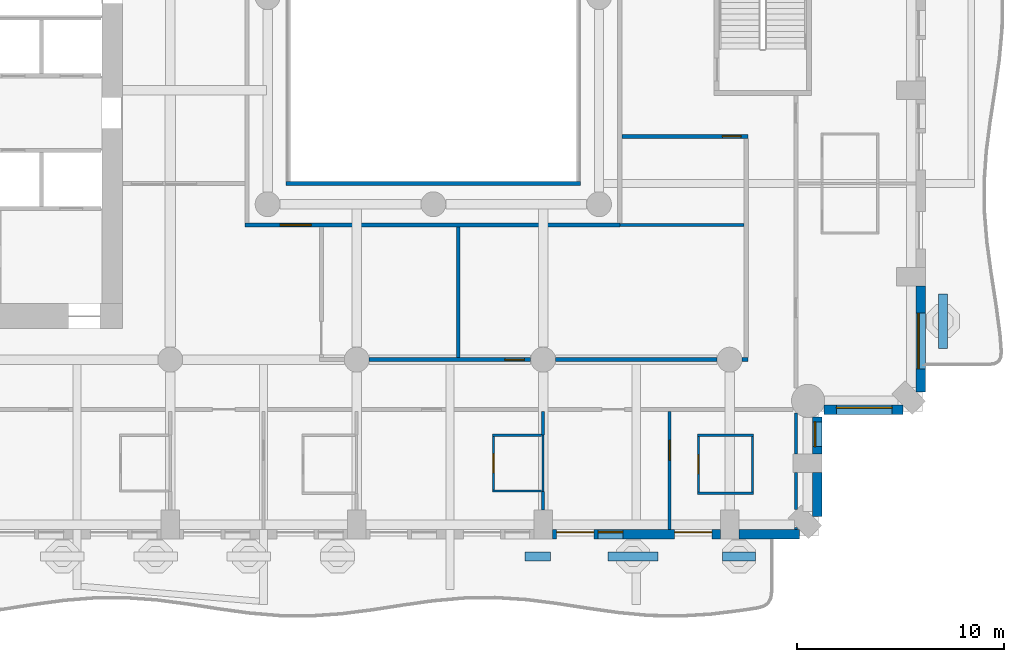
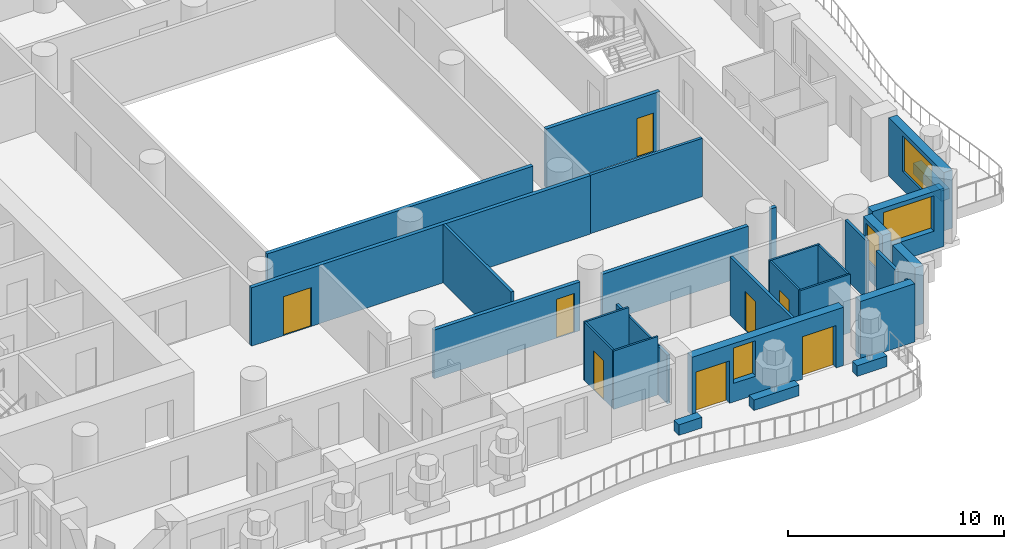
# One storey, part 5 of 19: 32 walls, 8 doors, 4 windows, 12 openings.
"""IFC4 building model written with IfcOpenShell, lengths in metres."""

from ifc_helpers import new_model, si_unit, direction, frame, frame_2d, origin, place, context, subcontext, project, spatial, rectangle, extrude, material, layer, layer_set, type_object, element, fill, save


model = new_model("IFC4")

# Units and contexts
model_context = context("Model", 3, precision=1e-05, world=origin(), true_north=direction((0.0, 1.0)))
body_context = subcontext(model_context, "Body", "Model", "MODEL_VIEW")
ifc_project = project(units=[si_unit("LENGTHUNIT", "METRE"), si_unit("AREAUNIT", "SQUARE_METRE"), si_unit("VOLUMEUNIT", "CUBIC_METRE"), si_unit("PLANEANGLEUNIT", "RADIAN"), si_unit("MASSUNIT", "GRAM", prefix="KILO")], contexts=[model_context])

# Site, building, storey
site_placement = place(None, origin())
site = spatial("IfcSite", under=ifc_project, at=site_placement, CompositionType="ELEMENT")
building_placement = place(site_placement, origin())
building = spatial("IfcBuilding", under=site, at=building_placement, Name="Cypress Arch Tower", CompositionType="ELEMENT")
storey_placement = place(building_placement, frame((0.0, 0.0, 98.699951171875)))
storey = spatial("IfcBuildingStorey", under=building, at=storey_placement, Name="L19", CompositionType="ELEMENT", Elevation=98.699951171875)

# Walls
ifc_material_1 = material(Name="Concrete C40/50, waterproofed", Category="concrete")
ifc_layer_1 = layer(ifc_material_1, 0.449951171875)
ifc_layer_set_1 = layer_set([ifc_layer_1], Name="Balcony planter wall PW450")
wall_type_1 = type_object("IfcWallType", Name="Balcony planter wall PW450", PredefinedType="SOLIDWALL", material=ifc_layer_set_1)
wall_1_placement = place(storey_placement, frame((5.419921875, -27.0, 0.0), z_axis=(0.0, 0.0, 1.0), x_axis=(1.0, 0.0, 0.0)))
element("IfcWall", 1, at=wall_1_placement, inside=storey, type_object=wall_type_1, Name="Balcony planter wall L19-A03.5", PredefinedType="SOLIDWALL", context=body_context, shape_type="SweptSolid", body=[
    extrude(rectangle(XDim=1.22998046875, YDim=0.449951171875, at=frame_2d((0.614990234375, 0.0))), origin(), (0.0, 0.0, 1.0), 0.60009765625),
])
wall_2_placement = place(storey_placement, frame((9.429931640625, -27.0, 0.0), z_axis=(0.0, 0.0, 1.0), x_axis=(1.0, 0.0, 0.0)))
element("IfcWall", 2, at=wall_2_placement, inside=storey, type_object=wall_type_1, Name="Balcony planter wall L19-A03.6", PredefinedType="SOLIDWALL", context=body_context, shape_type="SweptSolid", body=[
    extrude(rectangle(XDim=2.420166015625, YDim=0.449951171875, at=frame_2d((1.2099609375, 0.0))), origin(), (0.0, 0.0, 1.0), 0.60009765625),
])
wall_3_placement = place(storey_placement, frame((14.949951171875, -27.0, 0.0), z_axis=(0.0, 0.0, 1.0), x_axis=(1.0, 0.0, 0.0)))
element("IfcWall", 3, at=wall_3_placement, inside=storey, type_object=wall_type_1, Name="Balcony planter wall L19-A03.7", PredefinedType="SOLIDWALL", context=body_context, shape_type="SweptSolid", body=[
    extrude(rectangle(XDim=1.60009765625, YDim=0.449951171875, at=frame_2d((0.800048828125, 0.0))), origin(), (0.0, 0.0, 1.0), 0.60009765625),
])
wall_4_placement = place(storey_placement, frame((25.60009765625, -16.949951171875, 0.0), z_axis=(0.0, 0.0, 1.0), x_axis=(0.0, 1.0, 0.0)))
element("IfcWall", 4, at=wall_4_placement, inside=storey, type_object=wall_type_1, Name="Balcony planter wall L19-A06.1", PredefinedType="SOLIDWALL", context=body_context, shape_type="SweptSolid", body=[
    extrude(rectangle(XDim=2.6142578125, YDim=0.449951171875, at=frame_2d((1.30712890625, 0.0))), origin(), (0.0, 0.0, 1.0), 0.60009765625),
])

# Wall, openings, doors, window
ifc_material_2 = material(Name="Brick (red buff blend)", Category="masonry")
ifc_layer_2 = layer(ifc_material_2, 0.449951171875)
ifc_layer_set_2 = layer_set([ifc_layer_2], Name="Brick pier and spandrel wall BW450")
wall_type_2 = type_object("IfcWallType", Name="Brick pier and spandrel wall BW450", PredefinedType="SOLIDWALL", material=ifc_layer_set_2)
wall_5_placement = place(storey_placement, frame((6.75, -25.925048828125, 0.0), z_axis=(0.0, 0.0, 1.0), x_axis=(1.0, 0.0, 0.0)))
wall_5 = element("IfcWall", 5, at=wall_5_placement, inside=storey, type_object=wall_type_2, Name="Brick wall L19 A03.4", PredefinedType="SOLIDWALL", context=body_context, shape_type="SweptSolid", body=[
    extrude(rectangle(XDim=8.10009765625, YDim=0.449951171875, at=frame_2d((4.050048828125, 0.0))), origin(), (0.0, 0.0, 1.0), 3.300048828125),
])
opening_1_placement = place(wall_5_placement, frame((0.199951171875, 0.0, 0.0)))
opening_1 = element("IfcOpeningElement", 6, at=opening_1_placement, cuts=wall_5, Name="Opening D-L19-A03.4.1", PredefinedType="OPENING", context=body_context, shape_type="SweptSolid", body=[
    extrude(rectangle(XDim=1.800048828125, YDim=2.39990234375, at=frame_2d((0.89990234375, 1.199951171875))), frame((0.0, 0.23486328125, 0.0), z_axis=(0.0, -1.0, 0.0), x_axis=(1.0, 0.0, 0.0)), (0.0, 0.0, 1.0), 0.469970703125),
])
opening_2_placement = place(wall_5_placement, frame((2.199951171875, 0.0, 1.050048828125)))
opening_2 = element("IfcOpeningElement", 7, at=opening_2_placement, cuts=wall_5, Name="Opening W120HD", PredefinedType="OPENING", context=body_context, shape_type="SweptSolid", body=[
    extrude(rectangle(XDim=1.199951171875, YDim=2.0, at=frame_2d((0.60009765625, 1.0))), frame((0.0, 0.23486328125, 0.0), z_axis=(0.0, -1.0, 0.0), x_axis=(1.0, 0.0, 0.0)), (0.0, 0.0, 1.0), 0.469970703125),
])
opening_3_placement = place(wall_5_placement, frame((5.89990234375, 0.0, 0.0)))
opening_3 = element("IfcOpeningElement", 8, at=opening_3_placement, cuts=wall_5, Name="Opening D-L19-A03.4.2", PredefinedType="OPENING", context=body_context, shape_type="SweptSolid", body=[
    extrude(rectangle(XDim=1.800048828125, YDim=2.39990234375, at=frame_2d((0.89990234375, 1.199951171875))), frame((0.0, 0.23486328125, 0.0), z_axis=(0.0, -1.0, 0.0), x_axis=(1.0, 0.0, 0.0)), (0.0, 0.0, 1.0), 0.469970703125),
])
ifc_material_3 = material(Name="Anodised aluminium, bronze finish, laminated low-emissivity double glazing, large-missile impact rated", Category="aluminium")
door_type_1 = type_object("IfcDoorType", Name="Balcony sliding door 1800x2400", OperationType="SLIDING_TO_LEFT", PredefinedType="DOOR", material=ifc_material_3)
door_1_placement = place(opening_1_placement, origin())
door_1 = element("IfcDoor", 9, at=door_1_placement, inside=storey, type_object=door_type_1, Name="Balcony door L19 A03.4.1", OperationType="SLIDING_TO_LEFT", OverallHeight=2.39990234375, OverallWidth=1.800048828125, PredefinedType="DOOR", context=body_context, shape_type="SweptSolid", body=[
    extrude(rectangle(XDim=1.800048828125, YDim=2.39990234375, at=frame_2d((0.89990234375, 1.199951171875))), frame((0.0, 0.1298828125, 0.0), z_axis=(0.0, -1.0, 0.0), x_axis=(1.0, 0.0, 0.0)), (0.0, 0.0, 1.0), 0.050048828125),
])
fill(opening_1, door_1)
door_2_placement = place(opening_3_placement, origin())
door_2 = element("IfcDoor", 10, at=door_2_placement, inside=storey, type_object=door_type_1, Name="Balcony door L19 A03.4.2", OperationType="SLIDING_TO_LEFT", OverallHeight=2.39990234375, OverallWidth=1.800048828125, PredefinedType="DOOR", context=body_context, shape_type="SweptSolid", body=[
    extrude(rectangle(XDim=1.800048828125, YDim=2.39990234375, at=frame_2d((0.89990234375, 1.199951171875))), frame((0.0, 0.1298828125, 0.0), z_axis=(0.0, -1.0, 0.0), x_axis=(1.0, 0.0, 0.0)), (0.0, 0.0, 1.0), 0.050048828125),
])
fill(opening_3, door_2)
ifc_material_4 = material(Name="Anodised aluminium, bronze finish, laminated low-emissivity double glazing, large-missile impact rated", Category="aluminium")
window_type_1 = type_object("IfcWindowType", Name="Window Hotel 1200x2000 debris-rated", PartitioningType="SINGLE_PANEL", PredefinedType="WINDOW", material=ifc_material_4)
window_1_placement = place(opening_2_placement, origin())
window_1 = element("IfcWindow", 11, at=window_1_placement, inside=storey, type_object=window_type_1, Name="Window L19 A03.4.1", OverallHeight=2.0, OverallWidth=1.199951171875, PartitioningType="SINGLE_PANEL", PredefinedType="WINDOW", context=body_context, shape_type="SweptSolid", body=[
    extrude(rectangle(XDim=1.199951171875, YDim=2.0, at=frame_2d((0.60009765625, 1.0))), frame((0.0, 0.135009765625, 0.0), z_axis=(0.0, -1.0, 0.0), x_axis=(1.0, 0.0, 0.0)), (0.0, 0.0, 1.0), 0.06005859375),
])
fill(opening_2, window_1)

# Walls
wall_6_placement = place(storey_placement, frame((15.75, -25.925048828125, 0.0), z_axis=(0.0, 0.0, 1.0), x_axis=(1.0, 0.0, 0.0)))
element("IfcWall", 12, at=wall_6_placement, inside=storey, type_object=wall_type_2, Name="Brick wall L19 A03.5", PredefinedType="SOLIDWALL", context=body_context, shape_type="SweptSolid", body=[
    extrude(rectangle(XDim=2.91357421875, YDim=0.449951171875, at=frame_2d((1.456787109375, 0.0))), origin(), (0.0, 0.0, 1.0), 3.300048828125),
])
wall_7_placement = place(storey_placement, frame((19.52490234375, -25.063720703125, 0.0), z_axis=(0.0, 0.0, 1.0), x_axis=(0.0, 1.0, 0.0)))
element("IfcWall", 13, at=wall_7_placement, inside=storey, type_object=wall_type_2, Name="Brick wall L19 A04.0", PredefinedType="SOLIDWALL", context=body_context, shape_type="SweptSolid", body=[
    extrude(rectangle(XDim=2.11376953125, YDim=0.449951171875, at=frame_2d((1.056884765625, 0.0))), origin(), (0.0, 0.0, 1.0), 3.300048828125),
])

# Wall, opening, window
wall_8_placement = place(storey_placement, frame((19.52490234375, -22.050048828125, 0.0), z_axis=(0.0, 0.0, 1.0), x_axis=(0.0, 1.0, 0.0)))
wall_8 = element("IfcWall", 14, at=wall_8_placement, inside=storey, type_object=wall_type_2, Name="Brick wall L19 A04.1", PredefinedType="SOLIDWALL", context=body_context, shape_type="SweptSolid", body=[
    extrude(rectangle(XDim=1.79150390625, YDim=0.449951171875, at=frame_2d((0.895751953125, 0.0))), origin(), (0.0, 0.0, 1.0), 3.300048828125),
])
opening_4_placement = place(wall_8_placement, frame((0.35009765625, 0.0, 1.050048828125)))
opening_4 = element("IfcOpeningElement", 15, at=opening_4_placement, cuts=wall_8, Name="Opening W120H", PredefinedType="OPENING", context=body_context, shape_type="SweptSolid", body=[
    extrude(rectangle(XDim=1.199951171875, YDim=2.0, at=frame_2d((0.60009765625, 1.0))), frame((0.0, 0.23486328125, 0.0), z_axis=(0.0, -1.0, 0.0), x_axis=(1.0, 0.0, 0.0)), (0.0, 0.0, 1.0), 0.469970703125),
])
ifc_material_5 = material(Name="Anodised aluminium, bronze finish, clear low-emissivity double glazing", Category="aluminium")
window_type_2 = type_object("IfcWindowType", Name="Window Hotel 1200x2000", PartitioningType="SINGLE_PANEL", PredefinedType="WINDOW", material=ifc_material_5)
window_2_placement = place(opening_4_placement, origin())
window_2 = element("IfcWindow", 16, at=window_2_placement, inside=storey, type_object=window_type_2, Name="Window L19 A04.1.1", OverallHeight=2.0, OverallWidth=1.199951171875, PartitioningType="SINGLE_PANEL", PredefinedType="WINDOW", context=body_context, shape_type="SweptSolid", body=[
    extrude(rectangle(XDim=1.199951171875, YDim=2.0, at=frame_2d((0.60009765625, 1.0))), frame((0.0, 0.135009765625, 0.0), z_axis=(0.0, -1.0, 0.0), x_axis=(1.0, 0.0, 0.0)), (0.0, 0.0, 1.0), 0.06005859375),
])
fill(opening_4, window_2)

wall_9_placement = place(storey_placement, frame((19.8583984375, -19.925048828125, 0.0), z_axis=(0.0, 0.0, 1.0), x_axis=(1.0, 0.0, 0.0)))
wall_9 = element("IfcWall", 17, at=wall_9_placement, inside=storey, type_object=wall_type_2, Name="Brick wall L19 A05.0", PredefinedType="SOLIDWALL", context=body_context, shape_type="SweptSolid", body=[
    extrude(rectangle(XDim=3.80517578125, YDim=0.449951171875, at=frame_2d((1.902587890625, 0.0))), origin(), (0.0, 0.0, 1.0), 3.300048828125),
])
opening_5_placement = place(wall_9_placement, frame((0.591552734375, 0.0, 1.050048828125)))
opening_5 = element("IfcOpeningElement", 18, at=opening_5_placement, cuts=wall_9, Name="Opening W270H", PredefinedType="OPENING", context=body_context, shape_type="SweptSolid", body=[
    extrude(rectangle(XDim=2.699951171875, YDim=2.0, at=frame_2d((1.35009765625, 1.0))), frame((0.0, 0.23486328125, 0.0), z_axis=(0.0, -1.0, 0.0), x_axis=(1.0, 0.0, 0.0)), (0.0, 0.0, 1.0), 0.469970703125),
])
ifc_material_6 = material(Name="Anodised aluminium, bronze finish, clear low-emissivity double glazing", Category="aluminium")
window_type_3 = type_object("IfcWindowType", Name="Window Hotel 2700x2000", PartitioningType="SINGLE_PANEL", PredefinedType="WINDOW", material=ifc_material_6)
window_3_placement = place(opening_5_placement, origin())
window_3 = element("IfcWindow", 19, at=window_3_placement, inside=storey, type_object=window_type_3, Name="Window L19 A05.0.1", OverallHeight=2.0, OverallWidth=2.699951171875, PartitioningType="SINGLE_PANEL", PredefinedType="WINDOW", context=body_context, shape_type="SweptSolid", body=[
    extrude(rectangle(XDim=2.699951171875, YDim=2.0, at=frame_2d((1.35009765625, 1.0))), frame((0.0, 0.135009765625, 0.0), z_axis=(0.0, -1.0, 0.0), x_axis=(1.0, 0.0, 0.0)), (0.0, 0.0, 1.0), 0.06005859375),
])
fill(opening_5, window_3)

wall_10_placement = place(storey_placement, frame((24.52490234375, -19.063720703125, 0.0), z_axis=(0.0, 0.0, 1.0), x_axis=(0.0, 1.0, 0.0)))
wall_10 = element("IfcWall", 20, at=wall_10_placement, inside=storey, type_object=wall_type_2, Name="Brick wall L19 A06.0", PredefinedType="SOLIDWALL", context=body_context, shape_type="SweptSolid", body=[
    extrude(rectangle(XDim=5.11376953125, YDim=0.449951171875, at=frame_2d((2.556884765625, 0.0))), origin(), (0.0, 0.0, 1.0), 3.300048828125),
])
opening_6_placement = place(wall_10_placement, frame((1.113525390625, 0.0, 1.050048828125)))
opening_6 = element("IfcOpeningElement", 21, at=opening_6_placement, cuts=wall_10, Name="Opening W270HD", PredefinedType="OPENING", context=body_context, shape_type="SweptSolid", body=[
    extrude(rectangle(XDim=2.699951171875, YDim=2.0, at=frame_2d((1.35009765625, 1.0))), frame((0.0, 0.23486328125, 0.0), z_axis=(0.0, -1.0, 0.0), x_axis=(1.0, 0.0, 0.0)), (0.0, 0.0, 1.0), 0.469970703125),
])
ifc_material_7 = material(Name="Anodised aluminium, bronze finish, laminated low-emissivity double glazing, large-missile impact rated", Category="aluminium")
window_type_4 = type_object("IfcWindowType", Name="Window Hotel 2700x2000 debris-rated", PartitioningType="SINGLE_PANEL", PredefinedType="WINDOW", material=ifc_material_7)
window_4_placement = place(opening_6_placement, origin())
window_4 = element("IfcWindow", 22, at=window_4_placement, inside=storey, type_object=window_type_4, Name="Window L19 A06.0.1", OverallHeight=2.0, OverallWidth=2.699951171875, PartitioningType="SINGLE_PANEL", PredefinedType="WINDOW", context=body_context, shape_type="SweptSolid", body=[
    extrude(rectangle(XDim=2.699951171875, YDim=2.0, at=frame_2d((1.35009765625, 1.0))), frame((0.0, 0.135009765625, 0.0), z_axis=(0.0, -1.0, 0.0), x_axis=(1.0, 0.0, 0.0)), (0.0, 0.0, 1.0), 0.06005859375),
])
fill(opening_6, window_4)

# Wall, opening, door
ifc_material_8 = material(Name="Concrete blockwork, plastered, rated", Category="masonry")
ifc_layer_3 = layer(ifc_material_8, 0.199951171875)
ifc_layer_set_3 = layer_set([ifc_layer_3], Name="Corridor wall FW200")
wall_type_3 = type_object("IfcWallType", Name="Corridor wall FW200", PredefinedType="PARTITIONING", material=ifc_layer_set_3)
wall_11_placement = place(storey_placement, frame((-8.10009765625, -11.0, 0.0), z_axis=(0.0, 0.0, 1.0), x_axis=(1.0, 0.0, 0.0)))
wall_11 = element("IfcWall", 23, at=wall_11_placement, inside=storey, type_object=wall_type_3, Name="Corridor wall", PredefinedType="PARTITIONING", context=body_context, shape_type="SweptSolid", body=[
    extrude(rectangle(XDim=18.10009765625, YDim=0.199951171875, at=frame_2d((9.050048828125, 0.0))), origin(), (0.0, 0.0, 1.0), 3.300048828125),
])
opening_7_placement = place(wall_11_placement, frame((1.699951171875, 0.0, 0.0)))
opening_7 = element("IfcOpeningElement", 24, at=opening_7_placement, cuts=wall_11, Name="Opening D04", PredefinedType="OPENING", context=body_context, shape_type="SweptSolid", body=[
    extrude(rectangle(XDim=1.5, YDim=2.199951171875, at=frame_2d((0.75, 1.10009765625))), frame((0.0, 0.10986328125, 0.0), z_axis=(0.0, -1.0, 0.0), x_axis=(1.0, 0.0, 0.0)), (0.0, 0.0, 1.0), 0.219970703125),
])
ifc_material_9 = material(Name="Timber double door", Category="wood")
door_type_2 = type_object("IfcDoorType", Name="Double door D04 1500x2200", OperationType="DOUBLE_DOOR_SINGLE_SWING", PredefinedType="DOOR", material=ifc_material_9)
door_3_placement = place(opening_7_placement, origin())
door_3 = element("IfcDoor", 25, at=door_3_placement, inside=storey, type_object=door_type_2, Name="Double door", OperationType="DOUBLE_DOOR_SINGLE_SWING", OverallHeight=2.199951171875, OverallWidth=1.5, PredefinedType="DOOR", context=body_context, shape_type="SweptSolid", body=[
    extrude(rectangle(XDim=1.5, YDim=2.199951171875, at=frame_2d((0.75, 1.10009765625))), frame((0.0, 0.02490234375, 0.0), z_axis=(0.0, -1.0, 0.0), x_axis=(1.0, 0.0, 0.0)), (0.0, 0.0, 1.0), 0.050048828125),
])
fill(opening_7, door_3)

# Wall
wall_12_placement = place(storey_placement, frame((-6.10009765625, -9.0, 0.0), z_axis=(0.0, 0.0, 1.0), x_axis=(1.0, 0.0, 0.0)))
element("IfcWall", 26, at=wall_12_placement, inside=storey, type_object=wall_type_3, Name="Corridor wall", PredefinedType="PARTITIONING", context=body_context, shape_type="SweptSolid", body=[
    extrude(rectangle(XDim=14.2001953125, YDim=0.199951171875, at=frame_2d((7.10009765625, 0.0))), origin(), (0.0, 0.0, 1.0), 3.300048828125),
])

# Wall, opening, door
wall_13_placement = place(storey_placement, frame((-2.10009765625, -17.5, 0.0), z_axis=(0.0, 0.0, 1.0), x_axis=(1.0, 0.0, 0.0)))
wall_13 = element("IfcWall", 27, at=wall_13_placement, inside=storey, type_object=wall_type_3, Name="Corridor wall", PredefinedType="PARTITIONING", context=body_context, shape_type="SweptSolid", body=[
    extrude(rectangle(XDim=7.800048828125, YDim=0.199951171875, at=frame_2d((3.89990234375, 0.0))), origin(), (0.0, 0.0, 1.0), 2.75),
])
opening_8_placement = place(wall_13_placement, frame((6.550048828125, 0.0, 0.0)))
opening_8 = element("IfcOpeningElement", 28, at=opening_8_placement, cuts=wall_13, Name="Opening D02", PredefinedType="OPENING", context=body_context, shape_type="SweptSolid", body=[
    extrude(rectangle(XDim=0.949951171875, YDim=2.199951171875, at=frame_2d((0.47509765625, 1.10009765625))), frame((0.0, 0.10986328125, 0.0), z_axis=(0.0, -1.0, 0.0), x_axis=(1.0, 0.0, 0.0)), (0.0, 0.0, 1.0), 0.219970703125),
])
ifc_material_10 = material(Name="Timber flush door, fire resisting", Category="wood")
door_type_3 = type_object("IfcDoorType", Name="Room door D02 950x2200", OperationType="SINGLE_SWING_LEFT", PredefinedType="DOOR", material=ifc_material_10)
door_4_placement = place(opening_8_placement, origin())
door_4 = element("IfcDoor", 29, at=door_4_placement, inside=storey, type_object=door_type_3, Name="Room door", OperationType="SINGLE_SWING_RIGHT", OverallHeight=2.199951171875, OverallWidth=0.949951171875, PredefinedType="DOOR", context=body_context, shape_type="SweptSolid", body=[
    extrude(rectangle(XDim=0.949951171875, YDim=2.199951171875, at=frame_2d((0.47509765625, 1.10009765625))), frame((0.0, 0.02490234375, 0.0), z_axis=(0.0, -1.0, 0.0), x_axis=(1.0, 0.0, 0.0)), (0.0, 0.0, 1.0), 0.050048828125),
])
fill(opening_8, door_4)

# Walls
wall_14_placement = place(storey_placement, frame((6.89990234375, -17.5, 0.0), z_axis=(0.0, 0.0, 1.0), x_axis=(1.0, 0.0, 0.0)))
element("IfcWall", 30, at=wall_14_placement, inside=storey, type_object=wall_type_3, Name="Corridor wall", PredefinedType="PARTITIONING", context=body_context, shape_type="SweptSolid", body=[
    extrude(rectangle(XDim=7.800048828125, YDim=0.199951171875, at=frame_2d((3.89990234375, 0.0))), origin(), (0.0, 0.0, 1.0), 2.75),
])
wall_15_placement = place(storey_placement, frame((15.89990234375, -17.5, 0.0), z_axis=(0.0, 0.0, 1.0), x_axis=(1.0, 0.0, 0.0)))
element("IfcWall", 31, at=wall_15_placement, inside=storey, type_object=wall_type_3, Name="Corridor wall", PredefinedType="PARTITIONING", context=body_context, shape_type="SweptSolid", body=[
    extrude(rectangle(XDim=0.300048828125, YDim=0.199951171875, at=frame_2d((0.14990234375, 0.0))), origin(), (0.0, 0.0, 1.0), 3.300048828125),
])

# Wall, opening, door
wall_16_placement = place(storey_placement, frame((10.10009765625, -6.72509765625, 0.0), z_axis=(0.0, 0.0, 1.0), x_axis=(1.0, 0.0, 0.0)))
wall_16 = element("IfcWall", 32, at=wall_16_placement, inside=storey, type_object=wall_type_3, Name="Corridor wall", PredefinedType="PARTITIONING", context=body_context, shape_type="SweptSolid", body=[
    extrude(rectangle(XDim=6.099853515625, YDim=0.199951171875, at=frame_2d((3.0498046875, 0.0))), origin(), (0.0, 0.0, 1.0), 3.300048828125),
])
opening_9_placement = place(wall_16_placement, frame((4.85009765625, 0.0, 0.0)))
opening_9 = element("IfcOpeningElement", 33, at=opening_9_placement, cuts=wall_16, Name="Opening D05", PredefinedType="OPENING", context=body_context, shape_type="SweptSolid", body=[
    extrude(rectangle(XDim=0.89990234375, YDim=2.199951171875, at=frame_2d((0.449951171875, 1.10009765625))), frame((0.0, 0.10986328125, 0.0), z_axis=(0.0, -1.0, 0.0), x_axis=(1.0, 0.0, 0.0)), (0.0, 0.0, 1.0), 0.219970703125),
])
ifc_material_11 = material(Name="Timber flush door", Category="wood")
door_type_4 = type_object("IfcDoorType", Name="Service door D05 900x2200", OperationType="SINGLE_SWING_LEFT", PredefinedType="DOOR", material=ifc_material_11)
door_5_placement = place(opening_9_placement, origin())
door_5 = element("IfcDoor", 34, at=door_5_placement, inside=storey, type_object=door_type_4, Name="Service door", OperationType="SINGLE_SWING_LEFT", OverallHeight=2.199951171875, OverallWidth=0.89990234375, PredefinedType="DOOR", context=body_context, shape_type="SweptSolid", body=[
    extrude(rectangle(XDim=0.89990234375, YDim=2.199951171875, at=frame_2d((0.449951171875, 1.10009765625))), frame((0.0, 0.02490234375, 0.0), z_axis=(0.0, -1.0, 0.0), x_axis=(1.0, 0.0, 0.0)), (0.0, 0.0, 1.0), 0.050048828125),
])
fill(opening_9, door_5)

# Walls
ifc_material_12 = material(Name="Blockwork, plastered both sides", Category="masonry")
ifc_layer_4 = layer(ifc_material_12, 0.14990234375)
ifc_layer_set_4 = layer_set([ifc_layer_4], Name="Partition PW150")
wall_type_4 = type_object("IfcWallType", Name="Partition PW150", PredefinedType="PARTITIONING", material=ifc_layer_set_4)
wall_17_placement = place(storey_placement, frame((2.199951171875, -17.39990234375, 0.0), z_axis=(0.0, 0.0, 1.0), x_axis=(0.0, 1.0, 0.0)))
element("IfcWall", 35, at=wall_17_placement, inside=storey, type_object=wall_type_4, Name="Partition", PredefinedType="PARTITIONING", context=body_context, shape_type="SweptSolid", body=[
    extrude(rectangle(XDim=6.2998046875, YDim=0.14990234375, at=frame_2d((3.14990234375, 0.0))), origin(), (0.0, 0.0, 1.0), 3.300048828125),
])
wall_18_placement = place(storey_placement, frame((6.300048828125, -24.75, 0.0), z_axis=(0.0, 0.0, 1.0), x_axis=(0.0, 1.0, 0.0)))
element("IfcWall", 36, at=wall_18_placement, inside=storey, type_object=wall_type_4, Name="Partition", PredefinedType="PARTITIONING", context=body_context, shape_type="SweptSolid", body=[
    extrude(rectangle(XDim=0.8798828125, YDim=0.14990234375, at=frame_2d((0.43994140625, 0.0))), origin(), (0.0, 0.0, 1.0), 2.75),
])
wall_19_placement = place(storey_placement, frame((6.300048828125, -21.1298828125, 0.0), z_axis=(0.0, 0.0, 1.0), x_axis=(0.0, 1.0, 0.0)))
element("IfcWall", 37, at=wall_19_placement, inside=storey, type_object=wall_type_4, Name="Partition", PredefinedType="PARTITIONING", context=body_context, shape_type="SweptSolid", body=[
    extrude(rectangle(XDim=1.1298828125, YDim=0.14990234375, at=frame_2d((0.56494140625, 0.0))), origin(), (0.0, 0.0, 1.0), 2.75),
])
wall_20_placement = place(storey_placement, frame((10.0, -11.0, 0.0), z_axis=(0.0, 0.0, 1.0), x_axis=(1.0, 0.0, 0.0)))
element("IfcWall", 38, at=wall_20_placement, inside=storey, type_object=wall_type_4, Name="Partition", PredefinedType="PARTITIONING", context=body_context, shape_type="SweptSolid", body=[
    extrude(rectangle(XDim=6.0, YDim=0.14990234375, at=frame_2d((3.0, 0.0))), origin(), (0.0, 0.0, 1.0), 3.300048828125),
])

# Wall, opening, door
wall_21_placement = place(storey_placement, frame((12.39990234375, -25.699951171875, 0.0), z_axis=(0.0, 0.0, 1.0), x_axis=(0.0, 1.0, 0.0)))
wall_21 = element("IfcWall", 39, at=wall_21_placement, inside=storey, type_object=wall_type_4, Name="Partition", PredefinedType="PARTITIONING", context=body_context, shape_type="SweptSolid", body=[
    extrude(rectangle(XDim=5.699951171875, YDim=0.14990234375, at=frame_2d((2.85009765625, 0.0))), origin(), (0.0, 0.0, 1.0), 3.300048828125),
])
opening_10_placement = place(wall_21_placement, frame((3.35009765625, 0.0, 0.0)))
opening_10 = element("IfcOpeningElement", 40, at=opening_10_placement, cuts=wall_21, Name="Opening D12", PredefinedType="OPENING", context=body_context, shape_type="SweptSolid", body=[
    extrude(rectangle(XDim=0.949951171875, YDim=2.199951171875, at=frame_2d((0.47509765625, 1.10009765625))), frame((0.0, 0.0849609375, 0.0), z_axis=(0.0, -1.0, 0.0), x_axis=(1.0, 0.0, 0.0)), (0.0, 0.0, 1.0), 0.169921875),
])
ifc_material_13 = material(Name="Timber flush door", Category="wood")
door_type_5 = type_object("IfcDoorType", Name="Room door D12 950x2200", OperationType="SINGLE_SWING_LEFT", PredefinedType="DOOR", material=ifc_material_13)
door_6_placement = place(opening_10_placement, origin())
door_6 = element("IfcDoor", 41, at=door_6_placement, inside=storey, type_object=door_type_5, Name="Room door", OperationType="SINGLE_SWING_RIGHT", OverallHeight=2.199951171875, OverallWidth=0.949951171875, PredefinedType="DOOR", context=body_context, shape_type="SweptSolid", body=[
    extrude(rectangle(XDim=0.949951171875, YDim=2.199951171875, at=frame_2d((0.47509765625, 1.10009765625))), frame((0.0, 0.02490234375, 0.0), z_axis=(0.0, -1.0, 0.0), x_axis=(1.0, 0.0, 0.0)), (0.0, 0.0, 1.0), 0.050048828125),
])
fill(opening_10, door_6)

# Walls
wall_22_placement = place(storey_placement, frame((18.5, -25.699951171875, 0.0), z_axis=(0.0, 0.0, 1.0), x_axis=(0.0, 1.0, 0.0)))
element("IfcWall", 42, at=wall_22_placement, inside=storey, type_object=wall_type_4, Name="Partition", PredefinedType="PARTITIONING", context=body_context, shape_type="SweptSolid", body=[
    extrude(rectangle(XDim=0.103515625, YDim=0.14990234375, at=frame_2d((0.0517578125, 0.0))), origin(), (0.0, 0.0, 1.0), 3.300048828125),
])
wall_23_placement = place(storey_placement, frame((18.5, -24.7236328125, 0.0), z_axis=(0.0, 0.0, 1.0), x_axis=(0.0, 1.0, 0.0)))
element("IfcWall", 43, at=wall_23_placement, inside=storey, type_object=wall_type_4, Name="Partition", PredefinedType="PARTITIONING", context=body_context, shape_type="SweptSolid", body=[
    extrude(rectangle(XDim=1.773681640625, YDim=0.14990234375, at=frame_2d((0.88671875, 0.0))), origin(), (0.0, 0.0, 1.0), 3.300048828125),
])
wall_24_placement = place(storey_placement, frame((18.5, -22.050048828125, 0.0), z_axis=(0.0, 0.0, 1.0), x_axis=(0.0, 1.0, 0.0)))
element("IfcWall", 44, at=wall_24_placement, inside=storey, type_object=wall_type_4, Name="Partition", PredefinedType="PARTITIONING", context=body_context, shape_type="SweptSolid", body=[
    extrude(rectangle(XDim=1.963623046875, YDim=0.14990234375, at=frame_2d((0.98193359375, 0.0))), origin(), (0.0, 0.0, 1.0), 3.300048828125),
])

# Wall, opening, door
ifc_material_14 = material(Name="Moisture resistant board on steel studs, tiled", Category="steel")
ifc_layer_5 = layer(ifc_material_14, 0.10009765625)
ifc_layer_set_5 = layer_set([ifc_layer_5], Name="Wet wall PW100")
wall_type_5 = type_object("IfcWallType", Name="Wet wall PW100", PredefinedType="PARTITIONING", material=ifc_layer_set_5)
wall_25_placement = place(storey_placement, frame((3.904052734375, -23.800048828125, 0.0), z_axis=(0.0, 0.0, 1.0), x_axis=(0.0, 1.0, 0.0)))
wall_25 = element("IfcWall", 45, at=wall_25_placement, inside=storey, type_object=wall_type_5, Name="Wet wall", PredefinedType="PARTITIONING", context=body_context, shape_type="SweptSolid", body=[
    extrude(rectangle(XDim=2.60009765625, YDim=0.10009765625, at=frame_2d((1.300048828125, 0.0))), origin(), (0.0, 0.0, 1.0), 3.300048828125),
])
opening_11_placement = place(wall_25_placement, frame((0.85009765625, 0.0, 0.0)))
opening_11 = element("IfcOpeningElement", 46, at=opening_11_placement, cuts=wall_25, Name="Opening D03", PredefinedType="OPENING", context=body_context, shape_type="SweptSolid", body=[
    extrude(rectangle(XDim=0.89990234375, YDim=2.199951171875, at=frame_2d((0.449951171875, 1.10009765625))), frame((0.0, 0.06005859375, 0.0), z_axis=(0.0, -1.0, 0.0), x_axis=(1.0, 0.0, 0.0)), (0.0, 0.0, 1.0), 0.1201171875),
])
ifc_material_15 = material(Name="Timber flush door, moisture resistant", Category="wood")
door_type_6 = type_object("IfcDoorType", Name="Bathroom door D03 900x2200", OperationType="SINGLE_SWING_LEFT", PredefinedType="DOOR", material=ifc_material_15)
door_7_placement = place(opening_11_placement, origin())
door_7 = element("IfcDoor", 47, at=door_7_placement, inside=storey, type_object=door_type_6, Name="Bathroom door", OperationType="SINGLE_SWING_RIGHT", OverallHeight=2.199951171875, OverallWidth=0.89990234375, PredefinedType="DOOR", context=body_context, shape_type="SweptSolid", body=[
    extrude(rectangle(XDim=0.89990234375, YDim=2.199951171875, at=frame_2d((0.449951171875, 1.10009765625))), frame((0.0, 0.02490234375, 0.0), z_axis=(0.0, -1.0, 0.0), x_axis=(1.0, 0.0, 0.0)), (0.0, 0.0, 1.0), 0.050048828125),
])
fill(opening_11, door_7)

# Walls
for number, where, z_axis, x_axis, name in (
    (48, (3.85400390625, -23.85009765625, 0.0), (0.0, 0.0, 1.0), (1.0, 0.0, 0.0), "Wet wall"),
    (49, (3.85400390625, -21.14990234375, 0.0), (0.0, 0.0, 1.0), (1.0, 0.0, 0.0), "Wet wall"),
):
    element("IfcWall", number, at=place(storey_placement, frame(where, z_axis=z_axis, x_axis=x_axis)), inside=storey, type_object=wall_type_5, Name=name, PredefinedType="PARTITIONING", context=body_context, shape_type="SweptSolid", body=[
        extrude(rectangle(XDim=2.37109375, YDim=0.10009765625, at=frame_2d((1.185546875, 0.0))), origin(), (0.0, 0.0, 1.0), 3.300048828125),
    ])
wall_26_placement = place(storey_placement, frame((6.300048828125, -23.8701171875, 0.0), z_axis=(0.0, 0.0, 1.0), x_axis=(0.0, 1.0, 0.0)))
element("IfcWall", 50, at=wall_26_placement, inside=storey, type_object=wall_type_5, Name="Wet wall", PredefinedType="PARTITIONING", context=body_context, shape_type="SweptSolid", body=[
    extrude(rectangle(XDim=2.740234375, YDim=0.10009765625, at=frame_2d((1.3701171875, 0.0))), origin(), (0.0, 0.0, 1.0), 2.75),
])

# Wall, opening, door
wall_27_placement = place(storey_placement, frame((13.7958984375, -23.89990234375, 0.0), z_axis=(0.0, 0.0, 1.0), x_axis=(0.0, 1.0, 0.0)))
wall_27 = element("IfcWall", 51, at=wall_27_placement, inside=storey, type_object=wall_type_5, Name="Wet wall", PredefinedType="PARTITIONING", context=body_context, shape_type="SweptSolid", body=[
    extrude(rectangle(XDim=2.699951171875, YDim=0.10009765625, at=frame_2d((1.35009765625, 0.0))), origin(), (0.0, 0.0, 1.0), 3.300048828125),
])
opening_12_placement = place(wall_27_placement, frame((0.89990234375, 0.0, 0.0)))
opening_12 = element("IfcOpeningElement", 52, at=opening_12_placement, cuts=wall_27, Name="Opening D03", PredefinedType="OPENING", context=body_context, shape_type="SweptSolid", body=[
    extrude(rectangle(XDim=0.89990234375, YDim=2.199951171875, at=frame_2d((0.449951171875, 1.10009765625))), frame((0.0, 0.06005859375, 0.0), z_axis=(0.0, -1.0, 0.0), x_axis=(1.0, 0.0, 0.0)), (0.0, 0.0, 1.0), 0.1201171875),
])
door_8_placement = place(opening_12_placement, origin())
door_8 = element("IfcDoor", 53, at=door_8_placement, inside=storey, type_object=door_type_6, Name="Bathroom door", OperationType="SINGLE_SWING_LEFT", OverallHeight=2.199951171875, OverallWidth=0.89990234375, PredefinedType="DOOR", context=body_context, shape_type="SweptSolid", body=[
    extrude(rectangle(XDim=0.89990234375, YDim=2.199951171875, at=frame_2d((0.449951171875, 1.10009765625))), frame((0.0, 0.02490234375, 0.0), z_axis=(0.0, -1.0, 0.0), x_axis=(1.0, 0.0, 0.0)), (0.0, 0.0, 1.0), 0.050048828125),
])
fill(opening_12, door_8)

# Walls
for number, where, z_axis, x_axis, name in (
    (54, (13.74609375, -23.949951171875, 0.0), (0.0, 0.0, 1.0), (1.0, 0.0, 0.0), "Wet wall"),
    (55, (13.74609375, -21.14990234375, 0.0), (0.0, 0.0, 1.0), (1.0, 0.0, 0.0), "Wet wall"),
    (56, (16.39599609375, -23.89990234375, 0.0), (0.0, 0.0, 1.0), (0.0, 1.0, 0.0), "Wet wall"),
):
    element("IfcWall", number, at=place(storey_placement, frame(where, z_axis=z_axis, x_axis=x_axis)), inside=storey, type_object=wall_type_5, Name=name, PredefinedType="PARTITIONING", context=body_context, shape_type="SweptSolid", body=[
        extrude(rectangle(XDim=2.699951171875, YDim=0.10009765625, at=frame_2d((1.35009765625, 0.0))), origin(), (0.0, 0.0, 1.0), 3.300048828125),
    ])

save(model, "model.ifc")
